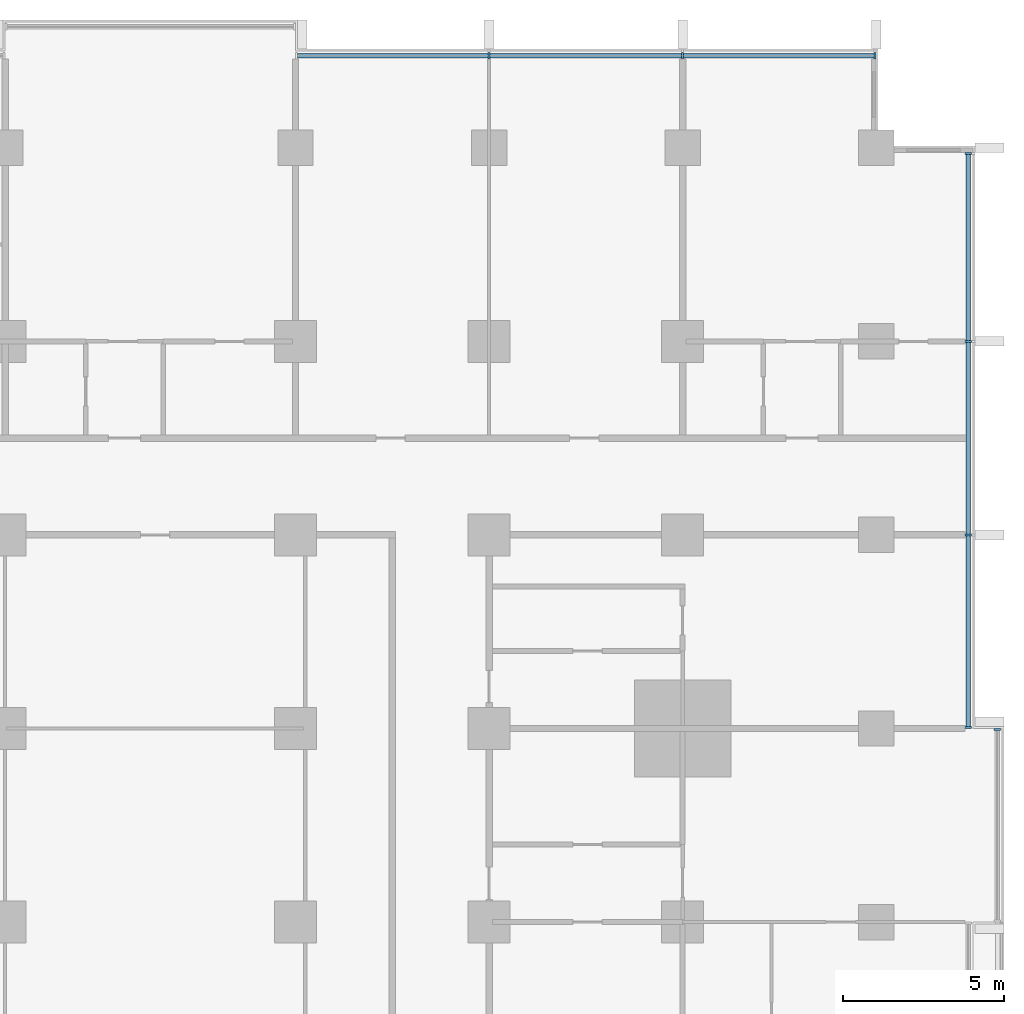
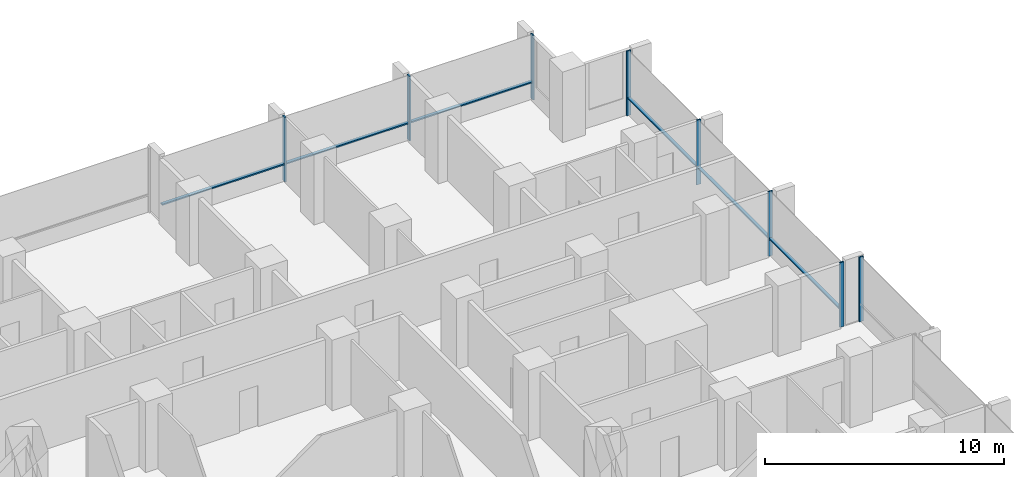
# One storey, part 5 of 17: 14 members, 3 elements without a shape of their own.
"""IFC4 building model written with IfcOpenShell, lengths in metres."""

from ifc_helpers import new_model, si_unit, direction, frame, origin, origin_2d, place, context, subcontext, project, spatial, rectangle, extrude, material, material_profile, profile_set, type_object, element, aggregate, save


model = new_model("IFC4")

# Units and contexts
model_context = context("Model", 3, precision=1e-05, world=origin(), true_north=direction((0.0, 1.0)))
body_context = subcontext(model_context, "Body", "Model", "MODEL_VIEW")
ifc_project = project(units=[si_unit("LENGTHUNIT", "METRE"), si_unit("AREAUNIT", "SQUARE_METRE"), si_unit("VOLUMEUNIT", "CUBIC_METRE"), si_unit("PLANEANGLEUNIT", "RADIAN"), si_unit("MASSUNIT", "GRAM", prefix="KILO")], contexts=[model_context])

# Site, building, storey
site_placement = place(None, origin())
site = spatial("IfcSite", under=ifc_project, at=site_placement, CompositionType="ELEMENT")
building_placement = place(site_placement, origin())
building = spatial("IfcBuilding", under=site, at=building_placement, Name="Finial Court Residences", CompositionType="ELEMENT")
storey_placement = place(building_placement, frame((0.0, 0.0, 61.300048828125)))
storey = spatial("IfcBuildingStorey", under=building, at=storey_placement, Name="L14", CompositionType="ELEMENT", Elevation=61.300048828125)

# Curtain wall, members
ifc_material = material(Name="Bronze anodised aluminium", Category="aluminium")
curtain_wall_type = type_object("IfcCurtainWallType", Name="Unitised curtain wall, lower and middle zones", PredefinedType="NOTDEFINED", material=ifc_material)
curtain_wall_1_placement = place(storey_placement, origin())
curtain_wall_1 = element("IfcCurtainWall", 1, at=curtain_wall_1_placement, inside=storey, type_object=curtain_wall_type, Name="E-L14-CW-N4", PredefinedType="NOTDEFINED")
ifc_material_profile_1 = material_profile(ifc_material, rectangle(XDim=0.199951171875, YDim=0.06494140625, at=origin_2d()), Name="CW1 mullion 65 x 200")
ifc_profile_set_1 = profile_set([ifc_material_profile_1], Name="Bronze anodised aluminium")
member_type_1 = type_object("IfcMemberType", Name="CW1 mullion 65 x 200", PredefinedType="MULLION", material=ifc_profile_set_1)
member_1_placement = place(storey_placement, frame((10.5, 28.35009765625, 0.0), z_axis=(0.0, 0.0, 1.0), x_axis=(0.0, 1.0, 0.0)))
member_1 = element("IfcMember", 2, at=member_1_placement, type_object=member_type_1, Name="CW1 mullion 2", PredefinedType="MULLION", context=body_context, shape_type="SweptSolid", body=[
    extrude(rectangle(XDim=0.199951171875, YDim=0.06494140625, at=origin_2d()), origin(), (0.0, 0.0, 1.0), 3.300048828125),
])
member_2_placement = place(storey_placement, frame((16.5, 28.35009765625, 0.0), z_axis=(0.0, 0.0, 1.0), x_axis=(0.0, 1.0, 0.0)))
member_2 = element("IfcMember", 3, at=member_2_placement, type_object=member_type_1, Name="CW1 mullion 3", PredefinedType="MULLION", context=body_context, shape_type="SweptSolid", body=[
    extrude(rectangle(XDim=0.199951171875, YDim=0.06494140625, at=origin_2d()), origin(), (0.0, 0.0, 1.0), 3.300048828125),
])
member_3_placement = place(storey_placement, frame((22.467529296875, 28.35009765625, 0.0), z_axis=(0.0, 0.0, 1.0), x_axis=(0.0, 1.0, 0.0)))
member_3 = element("IfcMember", 4, at=member_3_placement, type_object=member_type_1, Name="CW1 mullion 4", PredefinedType="MULLION", context=body_context, shape_type="SweptSolid", body=[
    extrude(rectangle(XDim=0.199951171875, YDim=0.06494140625, at=origin_2d()), origin(), (0.0, 0.0, 1.0), 3.300048828125),
])

# Curtain wall, member
curtain_wall_2_placement = place(storey_placement, origin())
curtain_wall_2 = element("IfcCurtainWall", 5, at=curtain_wall_2_placement, inside=storey, type_object=curtain_wall_type, Name="E-L14-CW-E6", PredefinedType="NOTDEFINED")
member_4_placement = place(storey_placement, frame((26.25, 7.467529296875, 0.0), z_axis=(0.0, 0.0, 1.0), x_axis=(-1.0, 0.0, 0.0)))
member_4 = element("IfcMember", 6, at=member_4_placement, type_object=member_type_1, Name="CW1 mullion 2", PredefinedType="MULLION", context=body_context, shape_type="SweptSolid", body=[
    extrude(rectangle(XDim=0.199951171875, YDim=0.06494140625, at=origin_2d()), origin(), (0.0, 0.0, 1.0), 3.300048828125),
])
aggregate(curtain_wall_2, [member_4])

# Curtain wall, members
curtain_wall_3_placement = place(storey_placement, origin())
curtain_wall_3 = element("IfcCurtainWall", 7, at=curtain_wall_3_placement, inside=storey, type_object=curtain_wall_type, Name="E-L14-CW-E7", PredefinedType="NOTDEFINED")
member_5_placement = place(storey_placement, frame((25.35009765625, 7.532470703125, 0.0), z_axis=(0.0, 0.0, 1.0), x_axis=(-1.0, 0.0, 0.0)))
member_5 = element("IfcMember", 8, at=member_5_placement, type_object=member_type_1, Name="CW1 mullion 1", PredefinedType="MULLION", context=body_context, shape_type="SweptSolid", body=[
    extrude(rectangle(XDim=0.199951171875, YDim=0.06494140625, at=origin_2d()), origin(), (0.0, 0.0, 1.0), 3.300048828125),
])
member_6_placement = place(storey_placement, frame((25.35009765625, 13.5, 0.0), z_axis=(0.0, 0.0, 1.0), x_axis=(-1.0, 0.0, 0.0)))
member_6 = element("IfcMember", 9, at=member_6_placement, type_object=member_type_1, Name="CW1 mullion 2", PredefinedType="MULLION", context=body_context, shape_type="SweptSolid", body=[
    extrude(rectangle(XDim=0.199951171875, YDim=0.06494140625, at=origin_2d()), origin(), (0.0, 0.0, 1.0), 3.300048828125),
])
member_7_placement = place(storey_placement, frame((25.35009765625, 19.5, 0.0), z_axis=(0.0, 0.0, 1.0), x_axis=(-1.0, 0.0, 0.0)))
member_7 = element("IfcMember", 10, at=member_7_placement, type_object=member_type_1, Name="CW1 mullion 3", PredefinedType="MULLION", context=body_context, shape_type="SweptSolid", body=[
    extrude(rectangle(XDim=0.199951171875, YDim=0.06494140625, at=origin_2d()), origin(), (0.0, 0.0, 1.0), 3.300048828125),
])
member_8_placement = place(storey_placement, frame((25.35009765625, 25.3173828125, 0.0), z_axis=(0.0, 0.0, 1.0), x_axis=(-1.0, 0.0, 0.0)))
member_8 = element("IfcMember", 11, at=member_8_placement, type_object=member_type_1, Name="CW1 mullion 4", PredefinedType="MULLION", context=body_context, shape_type="SweptSolid", body=[
    extrude(rectangle(XDim=0.199951171875, YDim=0.06494140625, at=origin_2d()), origin(), (0.0, 0.0, 1.0), 3.300048828125),
])

# Member
ifc_material_profile_2 = material_profile(ifc_material, rectangle(XDim=0.14990234375, YDim=0.06494140625, at=origin_2d()), Name="CW1 transom 65 x 150")
ifc_profile_set_2 = profile_set([ifc_material_profile_2], Name="Bronze anodised aluminium")
member_type_2 = type_object("IfcMemberType", Name="CW1 transom 65 x 150", PredefinedType="USERDEFINED", material=ifc_profile_set_2)
member_9_placement = place(storey_placement, frame((4.56494140625, 28.35009765625, 0.89990234375), z_axis=(1.0, 0.0, 0.0), x_axis=(0.0, 1.0, 0.0)))
member_9 = element("IfcMember", 12, at=member_9_placement, type_object=member_type_2, Name="CW1 transom 1.1", ObjectType="TRANSOM", PredefinedType="USERDEFINED", context=body_context, shape_type="SweptSolid", body=[
    extrude(rectangle(XDim=0.14990234375, YDim=0.06494140625, at=origin_2d()), origin(), (0.0, 0.0, 1.0), 5.902587890625),
])

member_10_placement = place(storey_placement, frame((10.532470703125, 28.35009765625, 0.89990234375), z_axis=(1.0, 0.0, 0.0), x_axis=(0.0, 1.0, 0.0)))
member_10 = element("IfcMember", 13, at=member_10_placement, type_object=member_type_2, Name="CW1 transom 2.1", ObjectType="TRANSOM", PredefinedType="USERDEFINED", context=body_context, shape_type="SweptSolid", body=[
    extrude(rectangle(XDim=0.14990234375, YDim=0.06494140625, at=origin_2d()), origin(), (0.0, 0.0, 1.0), 5.93505859375),
])

member_11_placement = place(storey_placement, frame((16.532470703125, 28.35009765625, 0.89990234375), z_axis=(1.0, 0.0, 0.0), x_axis=(0.0, 1.0, 0.0)))
member_11 = element("IfcMember", 14, at=member_11_placement, type_object=member_type_2, Name="CW1 transom 3.1", ObjectType="TRANSOM", PredefinedType="USERDEFINED", context=body_context, shape_type="SweptSolid", body=[
    extrude(rectangle(XDim=0.14990234375, YDim=0.06494140625, at=origin_2d()), origin(), (0.0, 0.0, 1.0), 5.902587890625),
])

aggregate(curtain_wall_1, [member_1, member_2, member_3, member_9, member_10, member_11])

member_12_placement = place(storey_placement, frame((25.35009765625, 7.56494140625, 0.89990234375), z_axis=(0.0, 1.0, 0.0), x_axis=(-1.0, 0.0, 0.0)))
member_12 = element("IfcMember", 15, at=member_12_placement, type_object=member_type_2, Name="CW1 transom 1.1", ObjectType="TRANSOM", PredefinedType="USERDEFINED", context=body_context, shape_type="SweptSolid", body=[
    extrude(rectangle(XDim=0.14990234375, YDim=0.06494140625, at=origin_2d()), origin(), (0.0, 0.0, 1.0), 5.902587890625),
])

member_13_placement = place(storey_placement, frame((25.35009765625, 13.532470703125, 0.89990234375), z_axis=(0.0, 1.0, 0.0), x_axis=(-1.0, 0.0, 0.0)))
member_13 = element("IfcMember", 16, at=member_13_placement, type_object=member_type_2, Name="CW1 transom 2.1", ObjectType="TRANSOM", PredefinedType="USERDEFINED", context=body_context, shape_type="SweptSolid", body=[
    extrude(rectangle(XDim=0.14990234375, YDim=0.06494140625, at=origin_2d()), origin(), (0.0, 0.0, 1.0), 5.93505859375),
])

member_14_placement = place(storey_placement, frame((25.35009765625, 19.532470703125, 0.89990234375), z_axis=(0.0, 1.0, 0.0), x_axis=(-1.0, 0.0, 0.0)))
member_14 = element("IfcMember", 17, at=member_14_placement, type_object=member_type_2, Name="CW1 transom 3.1", ObjectType="TRANSOM", PredefinedType="USERDEFINED", context=body_context, shape_type="SweptSolid", body=[
    extrude(rectangle(XDim=0.14990234375, YDim=0.06494140625, at=origin_2d()), origin(), (0.0, 0.0, 1.0), 5.75244140625),
])

aggregate(curtain_wall_3, [member_5, member_6, member_7, member_8, member_12, member_13, member_14])

save(model, "model.ifc")
